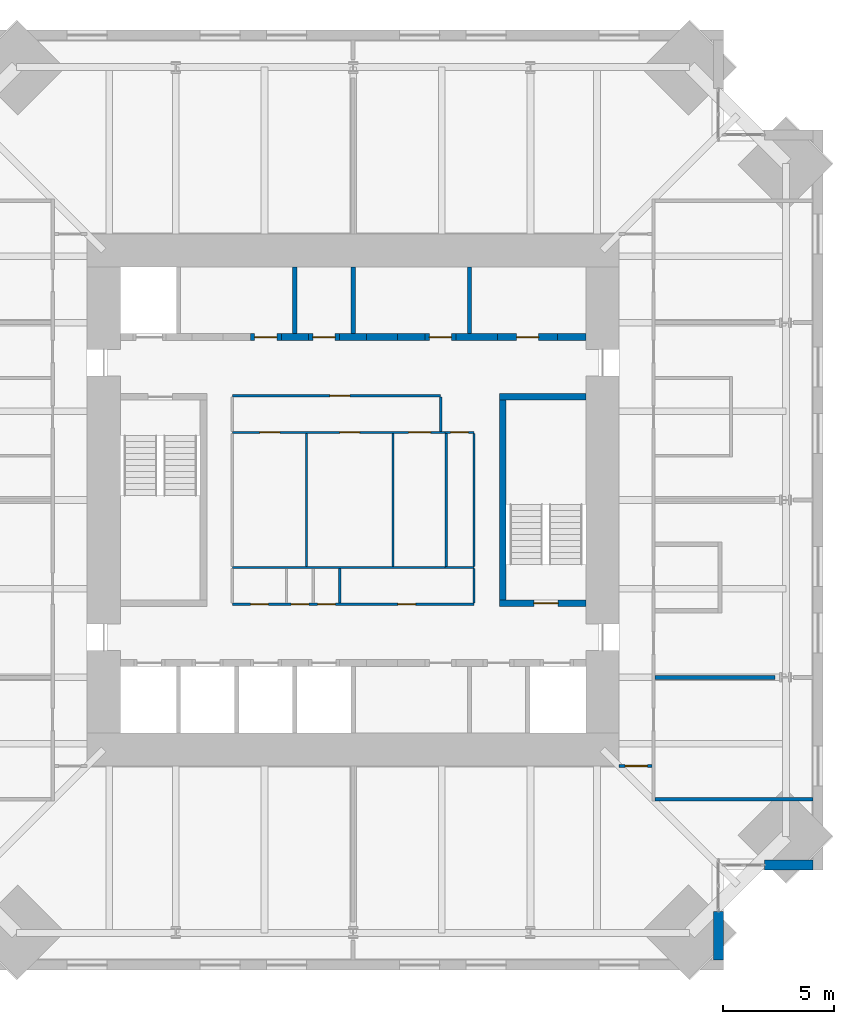
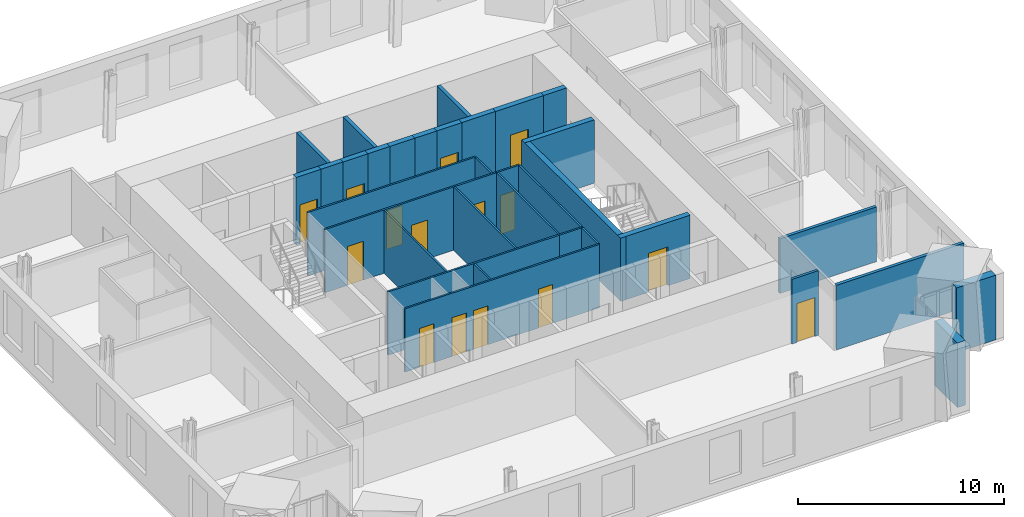
# One storey, part 12 of 15: 34 walls, 15 doors, 15 openings.
"""IFC4 building model written with IfcOpenShell, lengths in metres."""

from ifc_helpers import new_model, si_unit, direction, frame, frame_2d, origin, place, context, subcontext, project, spatial, rectangle, extrude, material, layer, layer_set, type_object, element, fill, save


model = new_model("IFC4")

# Units and contexts
model_context = context("Model", 3, precision=1e-05, world=origin(), true_north=direction((0.0, 1.0)))
body_context = subcontext(model_context, "Body", "Model", "MODEL_VIEW")
ifc_project = project(units=[si_unit("LENGTHUNIT", "METRE"), si_unit("AREAUNIT", "SQUARE_METRE"), si_unit("VOLUMEUNIT", "CUBIC_METRE"), si_unit("PLANEANGLEUNIT", "RADIAN"), si_unit("MASSUNIT", "GRAM", prefix="KILO")], contexts=[model_context])

# Site, building, storey
site_placement = place(None, origin())
site = spatial("IfcSite", under=ifc_project, at=site_placement, CompositionType="ELEMENT")
building_placement = place(site_placement, origin())
building = spatial("IfcBuilding", under=site, at=building_placement, Name="Peilmerk Tower", CompositionType="ELEMENT")
storey_placement = place(building_placement, frame((0.0, 0.0, 281.800048828125)))
storey = spatial("IfcBuildingStorey", under=building, at=storey_placement, Name="L63", CompositionType="ELEMENT", Elevation=281.800048828125)

# Walls
ifc_material_1 = material(Name="Precast concrete C45/55, board-marked finish", Category="concrete")
ifc_layer_1 = layer(ifc_material_1, 0.449951171875)
ifc_layer_set_1 = layer_set([ifc_layer_1], Name="Precast concrete C45/55, board-marked finish")
wall_type_1 = type_object("IfcWallType", Name="EW1 450 precast concrete facade wall, board-marked", PredefinedType="SOLIDWALL", material=ifc_layer_set_1)
for number, where, z_axis, x_axis, name in (
    (1, (16.47509765625, -18.5537109375, 0.0), (0.0, 0.0, 1.0), (0.0, -1.0, 0.0), "Facade wall SEA L63"),
    (2, (18.5537109375, -16.47509765625, 0.0), (0.0, 0.0, 1.0), (1.0, 0.0, 0.0), "Facade wall SEB L63"),
):
    element("IfcWall", number, at=place(storey_placement, frame(where, z_axis=z_axis, x_axis=x_axis)), inside=storey, type_object=wall_type_1, Name=name, PredefinedType="SOLIDWALL", context=body_context, shape_type="SweptSolid", body=[
        extrude(rectangle(XDim=2.1962890625, YDim=0.449951171875, at=frame_2d((1.09814453125, 0.0))), origin(), (0.0, 0.0, 1.0), 3.829833984375),
    ])

# Wall, opening, door
ifc_material_2 = material(Name="Calcium silicate block", Category="masonry")
ifc_layer_2 = layer(ifc_material_2, 0.14990234375)
ifc_layer_set_2 = layer_set([ifc_layer_2], Name="Calcium silicate block")
wall_type_2 = type_object("IfcWallType", Name="IW1 150 corridor partition, EI 60", PredefinedType="PARTITIONING", material=ifc_layer_set_2)
wall_1_placement = place(storey_placement, frame((13.47509765625, -12.0, 0.0), z_axis=(0.0, 0.0, 1.0), x_axis=(-1.0, 0.0, 0.0)))
wall_1 = element("IfcWall", 3, at=wall_1_placement, inside=storey, type_object=wall_type_2, Name="Corridor wall SE L63", PredefinedType="PARTITIONING", context=body_context, shape_type="SweptSolid", body=[
    extrude(rectangle(XDim=1.47509765625, YDim=0.14990234375, at=frame_2d((0.737548828125, 0.0))), origin(), (0.0, 0.0, 1.0), 3.829833984375),
])
opening_1_placement = place(wall_1_placement, frame((0.199951171875, 0.0, 0.0)))
opening_1 = element("IfcOpeningElement", 4, at=opening_1_placement, cuts=wall_1, Name="Opening D1", PredefinedType="OPENING", context=body_context, shape_type="SweptSolid", body=[
    extrude(rectangle(XDim=1.0, YDim=2.300048828125, at=frame_2d((0.5, 1.14990234375))), frame((0.0, 0.0849609375, 0.0), z_axis=(0.0, -1.0, 0.0), x_axis=(1.0, 0.0, 0.0)), (0.0, 0.0, 1.0), 0.169921875),
])
ifc_material_3 = material(Name="Timber door in steel frame", Category="steel")
door_type_1 = type_object("IfcDoorType", Name="D1 1000x2300 room door, EI2 30", OperationType="SINGLE_SWING_LEFT", PredefinedType="DOOR", material=ifc_material_3)
door_1_placement = place(opening_1_placement, origin())
door_1 = element("IfcDoor", 5, at=door_1_placement, inside=storey, type_object=door_type_1, Name="Door Office L63", OperationType="SINGLE_SWING_LEFT", OverallHeight=2.300048828125, OverallWidth=1.0, PredefinedType="DOOR", context=body_context, shape_type="SweptSolid", body=[
    extrude(rectangle(XDim=1.0, YDim=2.300048828125, at=frame_2d((0.5, 1.14990234375))), frame((0.0, 0.02490234375, 0.0), z_axis=(0.0, -1.0, 0.0), x_axis=(1.0, 0.0, 0.0)), (0.0, 0.0, 1.0), 0.050048828125),
])
fill(opening_1, door_1)

# Walls
ifc_material_4 = material(Name="Concrete C35/45", Category="concrete")
ifc_layer_3 = layer(ifc_material_4, 0.300048828125)
ifc_layer_set_3 = layer_set([ifc_layer_3], Name="Concrete C35/45")
wall_type_3 = type_object("IfcWallType", Name="IW3 300 concrete stair enclosure wall, EI 120", PredefinedType="SOLIDWALL", material=ifc_layer_set_3)
wall_2_placement = place(storey_placement, frame((6.75, -4.800048828125, 0.0), z_axis=(0.0, 0.0, 1.0), x_axis=(0.0, 1.0, 0.0)))
element("IfcWall", 6, at=wall_2_placement, inside=storey, type_object=wall_type_3, Name="Stair 2 enclosure L63", PredefinedType="SOLIDWALL", context=body_context, shape_type="SweptSolid", body=[
    extrude(rectangle(XDim=9.60009765625, YDim=0.300048828125, at=frame_2d((4.800048828125, 0.0))), origin(), (0.0, 0.0, 1.0), 3.75),
])
wall_3_placement = place(storey_placement, frame((6.60009765625, 4.64990234375, 0.0), z_axis=(0.0, 0.0, 1.0), x_axis=(1.0, 0.0, 0.0)))
element("IfcWall", 7, at=wall_3_placement, inside=storey, type_object=wall_type_3, Name="Stair 2 enclosure L63", PredefinedType="SOLIDWALL", context=body_context, shape_type="SweptSolid", body=[
    extrude(rectangle(XDim=3.89990234375, YDim=0.300048828125, at=frame_2d((1.949951171875, 0.0))), origin(), (0.0, 0.0, 1.0), 3.75),
])

# Wall, opening, door
wall_4_placement = place(storey_placement, frame((10.5, -4.64990234375, 0.0), z_axis=(0.0, 0.0, 1.0), x_axis=(-1.0, 0.0, 0.0)))
wall_4 = element("IfcWall", 8, at=wall_4_placement, inside=storey, type_object=wall_type_3, Name="Stair 2 enclosure L63", PredefinedType="SOLIDWALL", context=body_context, shape_type="SweptSolid", body=[
    extrude(rectangle(XDim=3.89990234375, YDim=0.300048828125, at=frame_2d((1.949951171875, 0.0))), origin(), (0.0, 0.0, 1.0), 3.75),
])
opening_2_placement = place(wall_4_placement, frame((1.25, 0.0, 0.0)))
opening_2 = element("IfcOpeningElement", 9, at=opening_2_placement, cuts=wall_4, Name="Opening D4", PredefinedType="OPENING", context=body_context, shape_type="SweptSolid", body=[
    extrude(rectangle(XDim=1.10009765625, YDim=2.300048828125, at=frame_2d((0.550048828125, 1.14990234375))), frame((0.0, 0.159912109375, 0.0), z_axis=(0.0, -1.0, 0.0), x_axis=(1.0, 0.0, 0.0)), (0.0, 0.0, 1.0), 0.320068359375),
])
ifc_material_5 = material(Name="Steel door in steel frame", Category="steel")
door_type_2 = type_object("IfcDoorType", Name="D4 1100x2300 stair door, EI2 60", OperationType="SINGLE_SWING_RIGHT", PredefinedType="DOOR", material=ifc_material_5)
door_2_placement = place(opening_2_placement, frame((1.10009765625, 0.0, 0.0), z_axis=(0.0, 0.0, 1.0), x_axis=(-1.0, 0.0, 0.0)))
door_2 = element("IfcDoor", 10, at=door_2_placement, inside=storey, type_object=door_type_2, Name="Stair 2 door L63", OperationType="SINGLE_SWING_RIGHT", OverallHeight=2.300048828125, OverallWidth=1.10009765625, PredefinedType="DOOR", context=body_context, shape_type="SweptSolid", body=[
    extrude(rectangle(XDim=1.10009765625, YDim=2.300048828125, at=frame_2d((0.550048828125, 1.14990234375))), frame((0.0, 0.02490234375, 0.0), z_axis=(0.0, -1.0, 0.0), x_axis=(1.0, 0.0, 0.0)), (0.0, 0.0, 1.0), 0.050048828125),
])
fill(opening_2, door_2)

# Wall, openings, doors
ifc_material_6 = material(Name="Plasterboard on steel studs", Category="steel")
ifc_layer_4 = layer(ifc_material_6, 0.10009765625)
ifc_layer_set_4 = layer_set([ifc_layer_4], Name="Plasterboard on steel studs")
wall_type_4 = type_object("IfcWallType", Name="IW4 100 WC partition", PredefinedType="PARTITIONING", material=ifc_layer_set_4)
wall_5_placement = place(storey_placement, frame((-5.449951171875, 3.050048828125, 0.0), z_axis=(0.0, 0.0, 1.0), x_axis=(1.0, 0.0, 0.0)))
wall_5 = element("IfcWall", 11, at=wall_5_placement, inside=storey, type_object=wall_type_4, Name="WC wall L63", PredefinedType="PARTITIONING", context=body_context, shape_type="SweptSolid", body=[
    extrude(rectangle(XDim=9.599853515625, YDim=0.10009765625, at=frame_2d((4.7998046875, 0.0))), origin(), (0.0, 0.0, 1.0), 3.75),
])
opening_3_placement = place(wall_5_placement, frame((1.25, 0.0, 0.0)))
opening_3 = element("IfcOpeningElement", 12, at=opening_3_placement, cuts=wall_5, Name="Opening D5", PredefinedType="OPENING", context=body_context, shape_type="SweptSolid", body=[
    extrude(rectangle(XDim=0.89990234375, YDim=2.300048828125, at=frame_2d((0.449951171875, 1.14990234375))), frame((0.0, 0.06005859375, 0.0), z_axis=(0.0, -1.0, 0.0), x_axis=(1.0, 0.0, 0.0)), (0.0, 0.0, 1.0), 0.1201171875),
])
opening_4_placement = place(wall_5_placement, frame((4.85009765625, 0.0, 0.0)))
opening_4 = element("IfcOpeningElement", 13, at=opening_4_placement, cuts=wall_5, Name="Opening D5", PredefinedType="OPENING", context=body_context, shape_type="SweptSolid", body=[
    extrude(rectangle(XDim=0.89990234375, YDim=2.300048828125, at=frame_2d((0.449951171875, 1.14990234375))), frame((0.0, 0.06005859375, 0.0), z_axis=(0.0, -1.0, 0.0), x_axis=(1.0, 0.0, 0.0)), (0.0, 0.0, 1.0), 0.1201171875),
])
opening_5_placement = place(wall_5_placement, frame((7.949951171875, 0.0, 0.0)))
opening_5 = element("IfcOpeningElement", 14, at=opening_5_placement, cuts=wall_5, Name="Opening D6", PredefinedType="OPENING", context=body_context, shape_type="SweptSolid", body=[
    extrude(rectangle(XDim=1.0, YDim=2.300048828125, at=frame_2d((0.5, 1.14990234375))), frame((0.0, 0.06005859375, 0.0), z_axis=(0.0, -1.0, 0.0), x_axis=(1.0, 0.0, 0.0)), (0.0, 0.0, 1.0), 0.1201171875),
])
door_type_3 = type_object("IfcDoorType", Name="D5 900x2300 WC door", OperationType="SINGLE_SWING_LEFT", PredefinedType="DOOR", material=ifc_material_3)
door_3_placement = place(opening_3_placement, frame((0.89990234375, 0.0, 0.0), z_axis=(0.0, 0.0, 1.0), x_axis=(-1.0, 0.0, 0.0)))
door_3 = element("IfcDoor", 15, at=door_3_placement, inside=storey, type_object=door_type_3, Name="Female toilets door L63", OperationType="SINGLE_SWING_LEFT", OverallHeight=2.300048828125, OverallWidth=0.89990234375, PredefinedType="DOOR", context=body_context, shape_type="SweptSolid", body=[
    extrude(rectangle(XDim=0.89990234375, YDim=2.300048828125, at=frame_2d((0.449951171875, 1.14990234375))), frame((0.0, 0.02490234375, 0.0), z_axis=(0.0, -1.0, 0.0), x_axis=(1.0, 0.0, 0.0)), (0.0, 0.0, 1.0), 0.050048828125),
])
fill(opening_3, door_3)
door_4_placement = place(opening_4_placement, frame((0.89990234375, 0.0, 0.0), z_axis=(0.0, 0.0, 1.0), x_axis=(-1.0, 0.0, 0.0)))
door_4 = element("IfcDoor", 16, at=door_4_placement, inside=storey, type_object=door_type_3, Name="Male toilets door L63", OperationType="SINGLE_SWING_LEFT", OverallHeight=2.300048828125, OverallWidth=0.89990234375, PredefinedType="DOOR", context=body_context, shape_type="SweptSolid", body=[
    extrude(rectangle(XDim=0.89990234375, YDim=2.300048828125, at=frame_2d((0.449951171875, 1.14990234375))), frame((0.0, 0.02490234375, 0.0), z_axis=(0.0, -1.0, 0.0), x_axis=(1.0, 0.0, 0.0)), (0.0, 0.0, 1.0), 0.050048828125),
])
fill(opening_4, door_4)
door_type_4 = type_object("IfcDoorType", Name="D6 1000x2300 accessible WC door", OperationType="SLIDING_TO_LEFT", PredefinedType="DOOR", material=ifc_material_3)
door_5_placement = place(opening_5_placement, frame((1.0, 0.0, 0.0), z_axis=(0.0, 0.0, 1.0), x_axis=(-1.0, 0.0, 0.0)))
door_5 = element("IfcDoor", 17, at=door_5_placement, inside=storey, type_object=door_type_4, Name="Accessible WC door L63", OperationType="SLIDING_TO_LEFT", OverallHeight=2.300048828125, OverallWidth=1.0, PredefinedType="DOOR", context=body_context, shape_type="SweptSolid", body=[
    extrude(rectangle(XDim=1.0, YDim=2.300048828125, at=frame_2d((0.5, 1.14990234375))), frame((0.0, 0.02490234375, 0.0), z_axis=(0.0, -1.0, 0.0), x_axis=(1.0, 0.0, 0.0)), (0.0, 0.0, 1.0), 0.050048828125),
])
fill(opening_5, door_5)

# Walls
wall_6_placement = place(storey_placement, frame((4.14990234375, -3.050048828125, 0.0), z_axis=(0.0, 0.0, 1.0), x_axis=(-1.0, 0.0, 0.0)))
element("IfcWall", 18, at=wall_6_placement, inside=storey, type_object=wall_type_4, Name="WC wall L63", PredefinedType="PARTITIONING", context=body_context, shape_type="SweptSolid", body=[
    extrude(rectangle(XDim=9.599853515625, YDim=0.10009765625, at=frame_2d((4.7998046875, 0.0))), origin(), (0.0, 0.0, 1.0), 3.75),
])
for number, where, z_axis, x_axis, name in (
    (19, (-2.10009765625, -3.0, 0.0), (0.0, 0.0, 1.0), (0.0, 1.0, 0.0), "WC wall L63"),
    (20, (1.800048828125, -3.0, 0.0), (0.0, 0.0, 1.0), (0.0, 1.0, 0.0), "WC wall L63"),
):
    element("IfcWall", number, at=place(storey_placement, frame(where, z_axis=z_axis, x_axis=x_axis)), inside=storey, type_object=wall_type_4, Name=name, PredefinedType="PARTITIONING", context=body_context, shape_type="SweptSolid", body=[
        extrude(rectangle(XDim=6.0, YDim=0.10009765625, at=frame_2d((3.0, 0.0))), origin(), (0.0, 0.0, 1.0), 3.75),
    ])

# Wall, opening, door
ifc_material_7 = material(Name="Calcium silicate board on steel studs", Category="steel")
ifc_layer_5 = layer(ifc_material_7, 0.10009765625)
ifc_layer_set_5 = layer_set([ifc_layer_5], Name="Calcium silicate board on steel studs")
wall_type_5 = type_object("IfcWallType", Name="IW5 100 riser enclosure wall, EI 60", PredefinedType="PARTITIONING", material=ifc_layer_set_5)
wall_7_placement = place(storey_placement, frame((4.14990234375, 3.050048828125, 0.0), z_axis=(0.0, 0.0, 1.0), x_axis=(1.0, 0.0, 0.0)))
wall_7 = element("IfcWall", 21, at=wall_7_placement, inside=storey, type_object=wall_type_5, Name="Riser wall L63", PredefinedType="PARTITIONING", context=body_context, shape_type="SweptSolid", body=[
    extrude(rectangle(XDim=1.300048828125, YDim=0.10009765625, at=frame_2d((0.64990234375, 0.0))), origin(), (0.0, 0.0, 1.0), 3.75),
])
opening_6_placement = place(wall_7_placement, frame((0.25, 0.0, 0.0)))
opening_6 = element("IfcOpeningElement", 22, at=opening_6_placement, cuts=wall_7, Name="Opening D7", PredefinedType="OPENING", context=body_context, shape_type="SweptSolid", body=[
    extrude(rectangle(XDim=0.800048828125, YDim=2.300048828125, at=frame_2d((0.39990234375, 1.14990234375))), frame((0.0, 0.06005859375, 0.0), z_axis=(0.0, -1.0, 0.0), x_axis=(1.0, 0.0, 0.0)), (0.0, 0.0, 1.0), 0.1201171875),
])
door_type_5 = type_object("IfcDoorType", Name="D7 800x2300 riser access door, EI2 60", OperationType="SINGLE_SWING_RIGHT", PredefinedType="DOOR", material=ifc_material_5)
door_6_placement = place(opening_6_placement, frame((0.800048828125, 0.0, 0.0), z_axis=(0.0, 0.0, 1.0), x_axis=(-1.0, 0.0, 0.0)))
door_6 = element("IfcDoor", 23, at=door_6_placement, inside=storey, type_object=door_type_5, Name="Plumbing riser door L63", OperationType="SINGLE_SWING_RIGHT", OverallHeight=2.300048828125, OverallWidth=0.800048828125, PredefinedType="DOOR", context=body_context, shape_type="SweptSolid", body=[
    extrude(rectangle(XDim=0.800048828125, YDim=2.300048828125, at=frame_2d((0.39990234375, 1.14990234375))), frame((0.0, 0.02490234375, 0.0), z_axis=(0.0, -1.0, 0.0), x_axis=(1.0, 0.0, 0.0)), (0.0, 0.0, 1.0), 0.050048828125),
])
fill(opening_6, door_6)

# Walls
wall_8_placement = place(storey_placement, frame((5.449951171875, -3.050048828125, 0.0), z_axis=(0.0, 0.0, 1.0), x_axis=(-1.0, 0.0, 0.0)))
element("IfcWall", 24, at=wall_8_placement, inside=storey, type_object=wall_type_5, Name="Riser wall L63", PredefinedType="PARTITIONING", context=body_context, shape_type="SweptSolid", body=[
    extrude(rectangle(XDim=1.300048828125, YDim=0.10009765625, at=frame_2d((0.64990234375, 0.0))), origin(), (0.0, 0.0, 1.0), 3.75),
])
for number, where, z_axis, x_axis, name in (
    (25, (5.449951171875, 3.0, 0.0), (0.0, 0.0, 1.0), (0.0, -1.0, 0.0), "Riser wall L63"),
    (26, (4.199951171875, -3.0, 0.0), (0.0, 0.0, 1.0), (0.0, 1.0, 0.0), "Riser wall L63"),
):
    element("IfcWall", number, at=place(storey_placement, frame(where, z_axis=z_axis, x_axis=x_axis)), inside=storey, type_object=wall_type_5, Name=name, PredefinedType="PARTITIONING", context=body_context, shape_type="SweptSolid", body=[
        extrude(rectangle(XDim=6.0, YDim=0.10009765625, at=frame_2d((3.0, 0.0))), origin(), (0.0, 0.0, 1.0), 3.75),
    ])

# Wall, openings, doors
wall_9_placement = place(storey_placement, frame((5.449951171875, -4.699951171875, 0.0), z_axis=(0.0, 0.0, 1.0), x_axis=(-1.0, 0.0, 0.0)))
wall_9 = element("IfcWall", 27, at=wall_9_placement, inside=storey, type_object=wall_type_5, Name="Riser wall L63", PredefinedType="PARTITIONING", context=body_context, shape_type="SweptSolid", body=[
    extrude(rectangle(XDim=10.89990234375, YDim=0.10009765625, at=frame_2d((5.449951171875, 0.0))), origin(), (0.0, 0.0, 1.0), 3.75),
])
opening_7_placement = place(wall_9_placement, frame((9.27490234375, 0.0, 0.0)))
opening_7 = element("IfcOpeningElement", 28, at=opening_7_placement, cuts=wall_9, Name="Opening D7", PredefinedType="OPENING", context=body_context, shape_type="SweptSolid", body=[
    extrude(rectangle(XDim=0.800048828125, YDim=2.300048828125, at=frame_2d((0.39990234375, 1.14990234375))), frame((0.0, 0.06005859375, 0.0), z_axis=(0.0, -1.0, 0.0), x_axis=(1.0, 0.0, 0.0)), (0.0, 0.0, 1.0), 0.1201171875),
])
opening_8_placement = place(wall_9_placement, frame((7.449951171875, 0.0, 0.0)))
opening_8 = element("IfcOpeningElement", 29, at=opening_8_placement, cuts=wall_9, Name="Opening D7", PredefinedType="OPENING", context=body_context, shape_type="SweptSolid", body=[
    extrude(rectangle(XDim=0.800048828125, YDim=2.300048828125, at=frame_2d((0.39990234375, 1.14990234375))), frame((0.0, 0.06005859375, 0.0), z_axis=(0.0, -1.0, 0.0), x_axis=(1.0, 0.0, 0.0)), (0.0, 0.0, 1.0), 0.1201171875),
])
opening_9_placement = place(wall_9_placement, frame((6.25, 0.0, 0.0)))
opening_9 = element("IfcOpeningElement", 30, at=opening_9_placement, cuts=wall_9, Name="Opening D7", PredefinedType="OPENING", context=body_context, shape_type="SweptSolid", body=[
    extrude(rectangle(XDim=0.800048828125, YDim=2.300048828125, at=frame_2d((0.39990234375, 1.14990234375))), frame((0.0, 0.06005859375, 0.0), z_axis=(0.0, -1.0, 0.0), x_axis=(1.0, 0.0, 0.0)), (0.0, 0.0, 1.0), 0.1201171875),
])
opening_10_placement = place(wall_9_placement, frame((2.625, 0.0, 0.0)))
opening_10 = element("IfcOpeningElement", 31, at=opening_10_placement, cuts=wall_9, Name="Opening D7", PredefinedType="OPENING", context=body_context, shape_type="SweptSolid", body=[
    extrude(rectangle(XDim=0.800048828125, YDim=2.300048828125, at=frame_2d((0.39990234375, 1.14990234375))), frame((0.0, 0.06005859375, 0.0), z_axis=(0.0, -1.0, 0.0), x_axis=(1.0, 0.0, 0.0)), (0.0, 0.0, 1.0), 0.1201171875),
])
door_7_placement = place(opening_7_placement, frame((0.800048828125, 0.0, 0.0), z_axis=(0.0, 0.0, 1.0), x_axis=(-1.0, 0.0, 0.0)))
door_7 = element("IfcDoor", 32, at=door_7_placement, inside=storey, type_object=door_type_5, Name="Cleaner's cupboard door L63", OperationType="SINGLE_SWING_RIGHT", OverallHeight=2.300048828125, OverallWidth=0.800048828125, PredefinedType="DOOR", context=body_context, shape_type="SweptSolid", body=[
    extrude(rectangle(XDim=0.800048828125, YDim=2.300048828125, at=frame_2d((0.39990234375, 1.14990234375))), frame((0.0, 0.02490234375, 0.0), z_axis=(0.0, -1.0, 0.0), x_axis=(1.0, 0.0, 0.0)), (0.0, 0.0, 1.0), 0.050048828125),
])
fill(opening_7, door_7)
door_8_placement = place(opening_8_placement, frame((0.800048828125, 0.0, 0.0), z_axis=(0.0, 0.0, 1.0), x_axis=(-1.0, 0.0, 0.0)))
door_8 = element("IfcDoor", 33, at=door_8_placement, inside=storey, type_object=door_type_5, Name="Electrical riser door L63", OperationType="SINGLE_SWING_RIGHT", OverallHeight=2.300048828125, OverallWidth=0.800048828125, PredefinedType="DOOR", context=body_context, shape_type="SweptSolid", body=[
    extrude(rectangle(XDim=0.800048828125, YDim=2.300048828125, at=frame_2d((0.39990234375, 1.14990234375))), frame((0.0, 0.02490234375, 0.0), z_axis=(0.0, -1.0, 0.0), x_axis=(1.0, 0.0, 0.0)), (0.0, 0.0, 1.0), 0.050048828125),
])
fill(opening_8, door_8)
door_9_placement = place(opening_9_placement, frame((0.800048828125, 0.0, 0.0), z_axis=(0.0, 0.0, 1.0), x_axis=(-1.0, 0.0, 0.0)))
door_9 = element("IfcDoor", 34, at=door_9_placement, inside=storey, type_object=door_type_5, Name="Data riser door L63", OperationType="SINGLE_SWING_RIGHT", OverallHeight=2.300048828125, OverallWidth=0.800048828125, PredefinedType="DOOR", context=body_context, shape_type="SweptSolid", body=[
    extrude(rectangle(XDim=0.800048828125, YDim=2.300048828125, at=frame_2d((0.39990234375, 1.14990234375))), frame((0.0, 0.02490234375, 0.0), z_axis=(0.0, -1.0, 0.0), x_axis=(1.0, 0.0, 0.0)), (0.0, 0.0, 1.0), 0.050048828125),
])
fill(opening_9, door_9)
door_10_placement = place(opening_10_placement, frame((0.800048828125, 0.0, 0.0), z_axis=(0.0, 0.0, 1.0), x_axis=(-1.0, 0.0, 0.0)))
door_10 = element("IfcDoor", 35, at=door_10_placement, inside=storey, type_object=door_type_5, Name="Comms room door L63", OperationType="SINGLE_SWING_RIGHT", OverallHeight=2.300048828125, OverallWidth=0.800048828125, PredefinedType="DOOR", context=body_context, shape_type="SweptSolid", body=[
    extrude(rectangle(XDim=0.800048828125, YDim=2.300048828125, at=frame_2d((0.39990234375, 1.14990234375))), frame((0.0, 0.02490234375, 0.0), z_axis=(0.0, -1.0, 0.0), x_axis=(1.0, 0.0, 0.0)), (0.0, 0.0, 1.0), 0.050048828125),
])
fill(opening_10, door_10)

# Walls
for number, where, z_axis, x_axis, name in (
    (36, (5.449951171875, -3.10009765625, 0.0), (0.0, 0.0, 1.0), (0.0, -1.0, 0.0), "Riser wall L63"),
    (37, (-0.60009765625, -3.10009765625, 0.0), (0.0, 0.0, 1.0), (0.0, -1.0, 0.0), "Riser wall L63"),
):
    element("IfcWall", number, at=place(storey_placement, frame(where, z_axis=z_axis, x_axis=x_axis)), inside=storey, type_object=wall_type_5, Name=name, PredefinedType="PARTITIONING", context=body_context, shape_type="SweptSolid", body=[
        extrude(rectangle(XDim=1.5498046875, YDim=0.10009765625, at=frame_2d((0.77490234375, 0.0))), origin(), (0.0, 0.0, 1.0), 3.75),
    ])
ifc_layer_6 = layer(ifc_material_2, 0.175048828125)
ifc_layer_set_6 = layer_set([ifc_layer_6], Name="Calcium silicate block")
wall_type_6 = type_object("IfcWallType", Name="IW8 175 tenant separating wall, EI 60", PredefinedType="PARTITIONING", material=ifc_layer_set_6)
wall_10_placement = place(storey_placement, frame((20.75, -13.5, 0.0), z_axis=(0.0, 0.0, 1.0), x_axis=(-1.0, 0.0, 0.0)))
element("IfcWall", 38, at=wall_10_placement, inside=storey, type_object=wall_type_6, Name="Tenant separating wall SE L63", PredefinedType="PARTITIONING", context=body_context, shape_type="SweptSolid", body=[
    extrude(rectangle(XDim=7.125, YDim=0.175048828125, at=frame_2d((3.5625, 0.0))), origin(), (0.0, 0.0, 1.0), 3.829833984375),
])
wall_11_placement = place(storey_placement, frame((13.625, -8.0, 0.0), z_axis=(0.0, 0.0, 1.0), x_axis=(1.0, 0.0, 0.0)))
element("IfcWall", 39, at=wall_11_placement, inside=storey, type_object=wall_type_6, Name="Tenant separating wall E1 L63", PredefinedType="PARTITIONING", context=body_context, shape_type="SweptSolid", body=[
    extrude(rectangle(XDim=5.41796875, YDim=0.175048828125, at=frame_2d((2.708984375, 0.0))), origin(), (0.0, 0.0, 1.0), 3.239990234375),
])

# Wall, opening, door
ifc_material_8 = material(Name="Fire-resisting plasterboard on steel studs", Category="steel")
ifc_layer_7 = layer(ifc_material_8, 0.10009765625)
ifc_layer_set_7 = layer_set([ifc_layer_7], Name="Fire-resisting plasterboard on steel studs")
wall_type_7 = type_object("IfcWallType", Name="IW9 100 WC lobby wall, EI 30", PredefinedType="PARTITIONING", material=ifc_layer_set_7)
wall_12_placement = place(storey_placement, frame((-5.449951171875, 4.699951171875, 0.0), z_axis=(0.0, 0.0, 1.0), x_axis=(1.0, 0.0, 0.0)))
wall_12 = element("IfcWall", 40, at=wall_12_placement, inside=storey, type_object=wall_type_7, Name="WC lobby wall L63", PredefinedType="PARTITIONING", context=body_context, shape_type="SweptSolid", body=[
    extrude(rectangle(XDim=9.39990234375, YDim=0.10009765625, at=frame_2d((4.699951171875, 0.0))), origin(), (0.0, 0.0, 1.0), 3.75),
])
opening_11_placement = place(wall_12_placement, frame((4.39990234375, 0.0, 0.0)))
opening_11 = element("IfcOpeningElement", 41, at=opening_11_placement, cuts=wall_12, Name="Opening D11", PredefinedType="OPENING", context=body_context, shape_type="SweptSolid", body=[
    extrude(rectangle(XDim=0.89990234375, YDim=2.300048828125, at=frame_2d((0.449951171875, 1.14990234375))), frame((0.0, 0.06005859375, 0.0), z_axis=(0.0, -1.0, 0.0), x_axis=(1.0, 0.0, 0.0)), (0.0, 0.0, 1.0), 0.1201171875),
])
door_type_6 = type_object("IfcDoorType", Name="D11 900x2300 WC lobby door, EI2 30", OperationType="SINGLE_SWING_LEFT", PredefinedType="DOOR", material=ifc_material_3)
door_11_placement = place(opening_11_placement, frame((0.89990234375, 0.0, 0.0), z_axis=(0.0, 0.0, 1.0), x_axis=(-1.0, 0.0, 0.0)))
door_11 = element("IfcDoor", 42, at=door_11_placement, inside=storey, type_object=door_type_6, Name="WC lobby door L63", OperationType="SINGLE_SWING_LEFT", OverallHeight=2.300048828125, OverallWidth=0.89990234375, PredefinedType="DOOR", context=body_context, shape_type="SweptSolid", body=[
    extrude(rectangle(XDim=0.89990234375, YDim=2.300048828125, at=frame_2d((0.449951171875, 1.14990234375))), frame((0.0, 0.02490234375, 0.0), z_axis=(0.0, -1.0, 0.0), x_axis=(1.0, 0.0, 0.0)), (0.0, 0.0, 1.0), 0.050048828125),
])
fill(opening_11, door_11)

# Walls
wall_13_placement = place(storey_placement, frame((3.949951171875, 3.10009765625, 0.0), z_axis=(0.0, 0.0, 1.0), x_axis=(0.0, 1.0, 0.0)))
element("IfcWall", 43, at=wall_13_placement, inside=storey, type_object=wall_type_7, Name="WC lobby wall L63", PredefinedType="PARTITIONING", context=body_context, shape_type="SweptSolid", body=[
    extrude(rectangle(XDim=1.5498046875, YDim=0.10009765625, at=frame_2d((0.77490234375, 0.0))), origin(), (0.0, 0.0, 1.0), 3.75),
])
ifc_layer_8 = layer(ifc_material_2, 0.199951171875)
ifc_layer_set_8 = layer_set([ifc_layer_8], Name="Calcium silicate block")
wall_type_8 = type_object("IfcWallType", Name="SH1 200 shaft dividing wall, EI 120", PredefinedType="PARTITIONING", material=ifc_layer_set_8)
for number, where, z_axis, x_axis, name in (
    (44, (-2.625, 7.5, 0.0), (0.0, 0.0, 1.0), (0.0, 1.0, 0.0), "Shaft wall N A2 L63"),
    (45, (0.0, 7.5, 0.0), (0.0, 0.0, 1.0), (0.0, 1.0, 0.0), "Shaft wall N A3 L63"),
    (46, (5.25, 7.5, 0.0), (0.0, 0.0, 1.0), (0.0, 1.0, 0.0), "Shaft wall N S2 L63"),
):
    element("IfcWall", number, at=place(storey_placement, frame(where, z_axis=z_axis, x_axis=x_axis)), inside=storey, type_object=wall_type_8, Name=name, PredefinedType="PARTITIONING", context=body_context, shape_type="SweptSolid", body=[
        extrude(rectangle(XDim=3.0, YDim=0.199951171875, at=frame_2d((1.5, 0.0))), origin(), (0.0, 0.0, 1.0), 4.0),
    ])

# Wall, opening, door
ifc_layer_9 = layer(ifc_material_2, 0.300048828125)
ifc_layer_set_9 = layer_set([ifc_layer_9], Name="Calcium silicate block")
wall_type_9 = type_object("IfcWallType", Name="SH2 300 lift landing door panel, EI 120", PredefinedType="PARTITIONING", material=ifc_layer_set_9)
wall_14_placement = place(storey_placement, frame((-4.637451171875, 7.35009765625, 0.0), z_axis=(0.0, 0.0, 1.0), x_axis=(1.0, 0.0, 0.0)))
wall_14 = element("IfcWall", 47, at=wall_14_placement, inside=storey, type_object=wall_type_9, Name="Lift door panel N A2 L63", PredefinedType="PARTITIONING", context=body_context, shape_type="SweptSolid", body=[
    extrude(rectangle(XDim=1.39990234375, YDim=0.300048828125, at=frame_2d((0.699951171875, 0.0))), origin(), (0.0, 0.0, 1.0), 4.0),
])
opening_12_placement = place(wall_14_placement, frame((0.199951171875, 0.0, 0.0)))
opening_12 = element("IfcOpeningElement", 48, at=opening_12_placement, cuts=wall_14, Name="Opening D10", PredefinedType="OPENING", context=body_context, shape_type="SweptSolid", body=[
    extrude(rectangle(XDim=1.0, YDim=2.300048828125, at=frame_2d((0.5, 1.14990234375))), frame((0.0, 0.159912109375, 0.0), z_axis=(0.0, -1.0, 0.0), x_axis=(1.0, 0.0, 0.0)), (0.0, 0.0, 1.0), 0.320068359375),
])
door_type_7 = type_object("IfcDoorType", Name="D10 1000x2300 core room door, EI2 60", OperationType="SINGLE_SWING_RIGHT", PredefinedType="DOOR", material=ifc_material_5)
door_12_placement = place(opening_12_placement, origin())
door_12 = element("IfcDoor", 49, at=door_12_placement, inside=storey, type_object=door_type_7, Name="Door Mail room L63", OperationType="SINGLE_SWING_RIGHT", OverallHeight=2.300048828125, OverallWidth=1.0, PredefinedType="DOOR", context=body_context, shape_type="SweptSolid", body=[
    extrude(rectangle(XDim=1.0, YDim=2.300048828125, at=frame_2d((0.5, 1.14990234375))), frame((0.0, 0.02490234375, 0.0), z_axis=(0.0, -1.0, 0.0), x_axis=(1.0, 0.0, 0.0)), (0.0, 0.0, 1.0), 0.050048828125),
])
fill(opening_12, door_12)

wall_15_placement = place(storey_placement, frame((-2.012451171875, 7.35009765625, 0.0), z_axis=(0.0, 0.0, 1.0), x_axis=(1.0, 0.0, 0.0)))
wall_15 = element("IfcWall", 50, at=wall_15_placement, inside=storey, type_object=wall_type_9, Name="Lift door panel N A3 L63", PredefinedType="PARTITIONING", context=body_context, shape_type="SweptSolid", body=[
    extrude(rectangle(XDim=1.39990234375, YDim=0.300048828125, at=frame_2d((0.699951171875, 0.0))), origin(), (0.0, 0.0, 1.0), 4.0),
])
opening_13_placement = place(wall_15_placement, frame((0.199951171875, 0.0, 0.0)))
opening_13 = element("IfcOpeningElement", 51, at=opening_13_placement, cuts=wall_15, Name="Opening D10", PredefinedType="OPENING", context=body_context, shape_type="SweptSolid", body=[
    extrude(rectangle(XDim=1.0, YDim=2.300048828125, at=frame_2d((0.5, 1.14990234375))), frame((0.0, 0.159912109375, 0.0), z_axis=(0.0, -1.0, 0.0), x_axis=(1.0, 0.0, 0.0)), (0.0, 0.0, 1.0), 0.320068359375),
])
door_13_placement = place(opening_13_placement, origin())
door_13 = element("IfcDoor", 52, at=door_13_placement, inside=storey, type_object=door_type_7, Name="Door Staff WC L63", OperationType="SINGLE_SWING_RIGHT", OverallHeight=2.300048828125, OverallWidth=1.0, PredefinedType="DOOR", context=body_context, shape_type="SweptSolid", body=[
    extrude(rectangle(XDim=1.0, YDim=2.300048828125, at=frame_2d((0.5, 1.14990234375))), frame((0.0, 0.02490234375, 0.0), z_axis=(0.0, -1.0, 0.0), x_axis=(1.0, 0.0, 0.0)), (0.0, 0.0, 1.0), 0.050048828125),
])
fill(opening_13, door_13)

# Wall
wall_16_placement = place(storey_placement, frame((0.612548828125, 7.35009765625, 0.0), z_axis=(0.0, 0.0, 1.0), x_axis=(1.0, 0.0, 0.0)))
element("IfcWall", 53, at=wall_16_placement, inside=storey, type_object=wall_type_9, Name="Lift door panel N S1 L63", PredefinedType="PARTITIONING", context=body_context, shape_type="SweptSolid", body=[
    extrude(rectangle(XDim=1.39990234375, YDim=0.300048828125, at=frame_2d((0.699951171875, 0.0))), origin(), (0.0, 0.0, 1.0), 4.0),
])

# Wall, opening, door
wall_17_placement = place(storey_placement, frame((3.237548828125, 7.35009765625, 0.0), z_axis=(0.0, 0.0, 1.0), x_axis=(1.0, 0.0, 0.0)))
wall_17 = element("IfcWall", 54, at=wall_17_placement, inside=storey, type_object=wall_type_9, Name="Lift door panel N S2 L63", PredefinedType="PARTITIONING", context=body_context, shape_type="SweptSolid", body=[
    extrude(rectangle(XDim=1.39990234375, YDim=0.300048828125, at=frame_2d((0.699951171875, 0.0))), origin(), (0.0, 0.0, 1.0), 4.0),
])
opening_14_placement = place(wall_17_placement, frame((0.199951171875, 0.0, 0.0)))
opening_14 = element("IfcOpeningElement", 55, at=opening_14_placement, cuts=wall_17, Name="Opening D10", PredefinedType="OPENING", context=body_context, shape_type="SweptSolid", body=[
    extrude(rectangle(XDim=1.0, YDim=2.300048828125, at=frame_2d((0.5, 1.14990234375))), frame((0.0, 0.159912109375, 0.0), z_axis=(0.0, -1.0, 0.0), x_axis=(1.0, 0.0, 0.0)), (0.0, 0.0, 1.0), 0.320068359375),
])
door_14_placement = place(opening_14_placement, origin())
door_14 = element("IfcDoor", 56, at=door_14_placement, inside=storey, type_object=door_type_7, Name="Door First aid room L63", OperationType="SINGLE_SWING_RIGHT", OverallHeight=2.300048828125, OverallWidth=1.0, PredefinedType="DOOR", context=body_context, shape_type="SweptSolid", body=[
    extrude(rectangle(XDim=1.0, YDim=2.300048828125, at=frame_2d((0.5, 1.14990234375))), frame((0.0, 0.02490234375, 0.0), z_axis=(0.0, -1.0, 0.0), x_axis=(1.0, 0.0, 0.0)), (0.0, 0.0, 1.0), 0.050048828125),
])
fill(opening_14, door_14)

wall_18_placement = place(storey_placement, frame((6.52490234375, 7.35009765625, 0.0), z_axis=(0.0, 0.0, 1.0), x_axis=(1.0, 0.0, 0.0)))
wall_18 = element("IfcWall", 57, at=wall_18_placement, inside=storey, type_object=wall_type_9, Name="Lift door panel N GL1 L63", PredefinedType="PARTITIONING", context=body_context, shape_type="SweptSolid", body=[
    extrude(rectangle(XDim=2.7001953125, YDim=0.300048828125, at=frame_2d((1.35009765625, 0.0))), origin(), (0.0, 0.0, 1.0), 4.0),
])
opening_15_placement = place(wall_18_placement, frame((0.85009765625, 0.0, 0.0)))
opening_15 = element("IfcOpeningElement", 58, at=opening_15_placement, cuts=wall_18, Name="Opening D10", PredefinedType="OPENING", context=body_context, shape_type="SweptSolid", body=[
    extrude(rectangle(XDim=1.0, YDim=2.300048828125, at=frame_2d((0.5, 1.14990234375))), frame((0.0, 0.159912109375, 0.0), z_axis=(0.0, -1.0, 0.0), x_axis=(1.0, 0.0, 0.0)), (0.0, 0.0, 1.0), 0.320068359375),
])
door_15_placement = place(opening_15_placement, origin())
door_15 = element("IfcDoor", 59, at=door_15_placement, inside=storey, type_object=door_type_7, Name="Door Water meter room L63", OperationType="SINGLE_SWING_RIGHT", OverallHeight=2.300048828125, OverallWidth=1.0, PredefinedType="DOOR", context=body_context, shape_type="SweptSolid", body=[
    extrude(rectangle(XDim=1.0, YDim=2.300048828125, at=frame_2d((0.5, 1.14990234375))), frame((0.0, 0.02490234375, 0.0), z_axis=(0.0, -1.0, 0.0), x_axis=(1.0, 0.0, 0.0)), (0.0, 0.0, 1.0), 0.050048828125),
])
fill(opening_15, door_15)

# Walls
ifc_material_9 = material(Name="Concrete C55/67", Category="concrete")
ifc_layer_10 = layer(ifc_material_9, 0.300048828125)
ifc_layer_set_10 = layer_set([ifc_layer_10], Name="Concrete C55/67")
wall_type_10 = type_object("IfcWallType", Name="SW2 300 lift bank pier", PredefinedType="SHEAR", material=ifc_layer_set_10)
for number, where, z_axis, x_axis, name in (
    (60, (-3.237548828125, 7.35009765625, 0.0), (0.0, 0.0, 1.0), (1.0, 0.0, 0.0), "Lift bank pier N L63"),
    (61, (-0.612548828125, 7.35009765625, 0.0), (0.0, 0.0, 1.0), (1.0, 0.0, 0.0), "Lift bank pier N L63"),
    (62, (2.012451171875, 7.35009765625, 0.0), (0.0, 0.0, 1.0), (1.0, 0.0, 0.0), "Lift bank pier N L63"),
):
    element("IfcWall", number, at=place(storey_placement, frame(where, z_axis=z_axis, x_axis=x_axis)), inside=storey, type_object=wall_type_10, Name=name, PredefinedType="SHEAR", context=body_context, shape_type="SweptSolid", body=[
        extrude(rectangle(XDim=1.22509765625, YDim=0.300048828125, at=frame_2d((0.612548828125, 0.0))), origin(), (0.0, 0.0, 1.0), 4.0),
    ])
wall_19_placement = place(storey_placement, frame((4.637451171875, 7.35009765625, 0.0), z_axis=(0.0, 0.0, 1.0), x_axis=(1.0, 0.0, 0.0)))
element("IfcWall", 63, at=wall_19_placement, inside=storey, type_object=wall_type_10, Name="Lift bank pier N L63", PredefinedType="SHEAR", context=body_context, shape_type="SweptSolid", body=[
    extrude(rectangle(XDim=1.887451171875, YDim=0.300048828125, at=frame_2d((0.94384765625, 0.0))), origin(), (0.0, 0.0, 1.0), 4.0),
])
wall_20_placement = place(storey_placement, frame((9.22509765625, 7.35009765625, 0.0), z_axis=(0.0, 0.0, 1.0), x_axis=(1.0, 0.0, 0.0)))
element("IfcWall", 64, at=wall_20_placement, inside=storey, type_object=wall_type_10, Name="Lift bank pier N L63", PredefinedType="SHEAR", context=body_context, shape_type="SweptSolid", body=[
    extrude(rectangle(XDim=1.27490234375, YDim=0.300048828125, at=frame_2d((0.637451171875, 0.0))), origin(), (0.0, 0.0, 1.0), 4.0),
])

save(model, "model.ifc")
